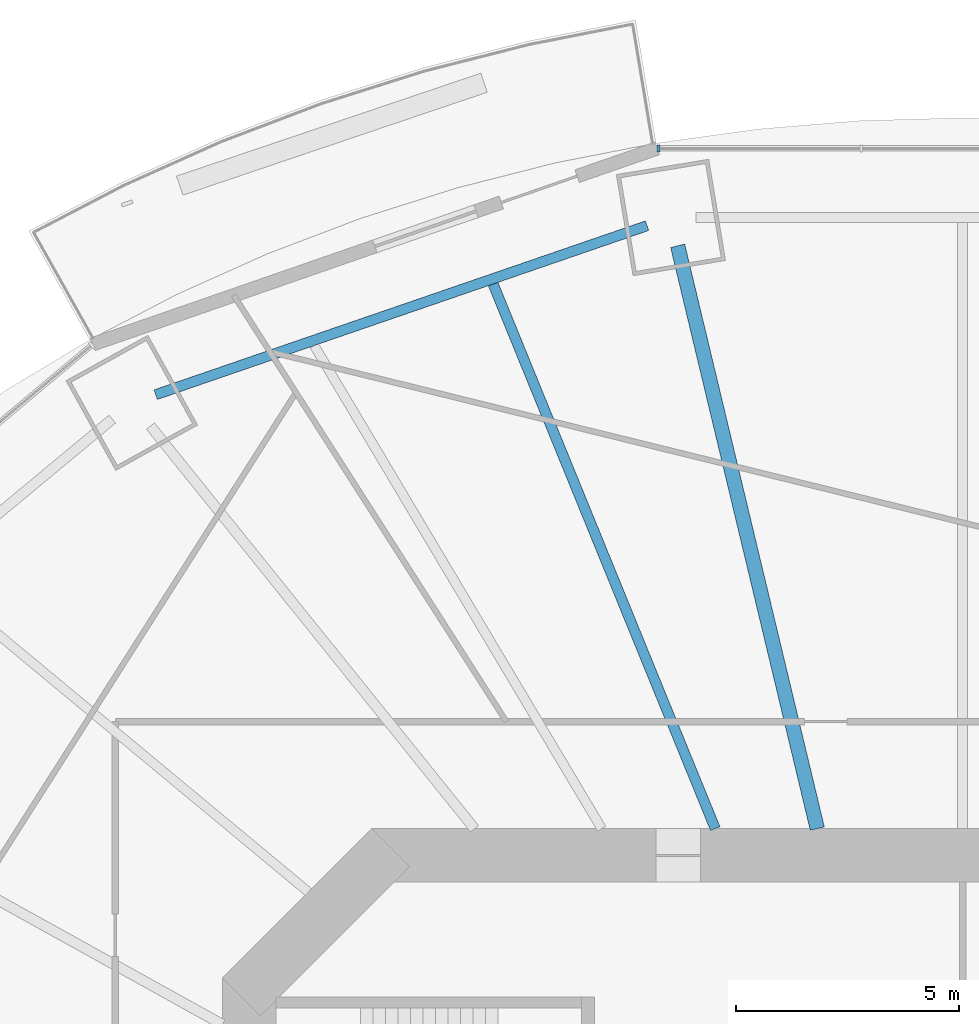
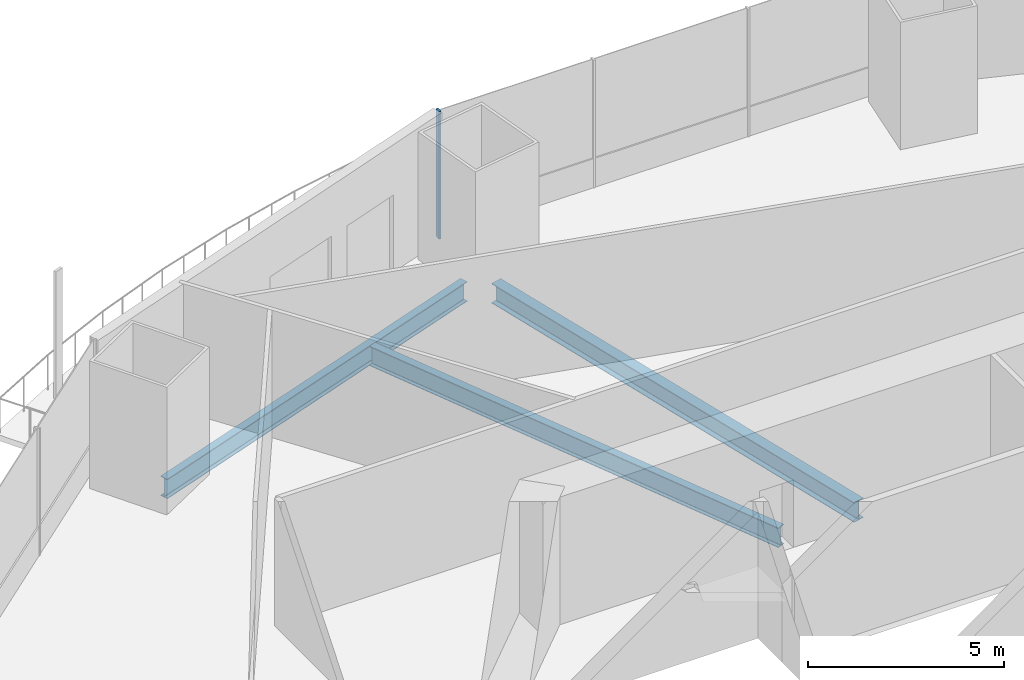
# One storey, part 7 of 22: 3 beams, 1 member, 1 element without a shape of its own.
"""IFC4 building model written with IfcOpenShell, lengths in metres."""

from ifc_helpers import new_model, si_unit, direction, frame, origin, origin_2d, place, context, subcontext, project, spatial, rectangle, i_section, extrude, material, material_profile, profile_set, type_object, element, aggregate, save


model = new_model("IFC4")

# Units and contexts
model_context = context("Model", 3, precision=1e-05, world=origin(), true_north=direction((0.0, 1.0)))
body_context = subcontext(model_context, "Body", "Model", "MODEL_VIEW")
ifc_project = project(units=[si_unit("LENGTHUNIT", "METRE"), si_unit("AREAUNIT", "SQUARE_METRE"), si_unit("VOLUMEUNIT", "CUBIC_METRE"), si_unit("PLANEANGLEUNIT", "RADIAN"), si_unit("MASSUNIT", "GRAM", prefix="KILO")], contexts=[model_context])

# Site, building, storey
site_placement = place(None, origin())
site = spatial("IfcSite", under=ifc_project, at=site_placement, CompositionType="ELEMENT")
building_placement = place(site_placement, origin())
building = spatial("IfcBuilding", under=site, at=building_placement, Name="Marenthal Gate Tower", CompositionType="ELEMENT")
storey_placement = place(building_placement, frame((0.0, 0.0, 86.949951171875)))
storey = spatial("IfcBuildingStorey", under=building, at=storey_placement, Name="L17", CompositionType="ELEMENT", Elevation=86.949951171875)

# Curtain wall, member
ifc_material_1 = material(Name="Aluminium and glass", Category="aluminium")
curtain_wall_type = type_object("IfcCurtainWallType", Name="Curtain wall typical low", PredefinedType="NOTDEFINED", material=ifc_material_1)
curtain_wall_placement = place(storey_placement, origin())
curtain_wall = element("IfcCurtainWall", 1, at=curtain_wall_placement, inside=storey, type_object=curtain_wall_type, Name="Curtain wall L17 bay 4", PredefinedType="NOTDEFINED")
ifc_material_2 = material(Name="Aluminium", Category="aluminium")
ifc_material_profile_1 = material_profile(ifc_material_2, rectangle(XDim=0.159912109375, YDim=0.06005859375, at=origin_2d()), Name="60x160 aluminium mullion")
ifc_profile_set_1 = profile_set([ifc_material_profile_1], Name="Aluminium")
member_type = type_object("IfcMemberType", Name="Mullion 60x160 typical low", PredefinedType="MULLION", material=ifc_profile_set_1)
member_placement = place(storey_placement, frame((-6.81982421875, 28.852783203125, 0.0), z_axis=(0.0, 0.0, 1.0), x_axis=(0.0, -1.0, 0.0)))
member = element("IfcMember", 2, at=member_placement, type_object=member_type, Name="Mullion L17 bay 4.4", PredefinedType="MULLION", context=body_context, shape_type="SweptSolid", body=[
    extrude(rectangle(XDim=0.159912109375, YDim=0.06005859375, at=origin_2d()), origin(), (0.0, 0.0, 1.0), 3.969970703125),
])
aggregate(curtain_wall, [member])

# Beams
ifc_material_3 = material(Name="Steel S355", Category="steel")
ifc_material_profile_2 = material_profile(ifc_material_3, i_section(OverallWidth=0.22900390625, OverallDepth=0.612060546875, WebThickness=0.011962890625, FlangeThickness=0.01953125, FilletRadius=0.0126953125, at=origin_2d()), Name="W610X125")
ifc_profile_set_2 = profile_set([ifc_material_profile_2], Name="Steel S355")
beam_type_1 = type_object("IfcBeamType", Name="W610X125 beam", PredefinedType="BEAM", material=ifc_profile_set_2)
beam_1_placement = place(storey_placement, frame((-10.52734375, 25.811279296875, -0.48583984375), z_axis=(0.377657332002, -0.925945430134, 0.0), x_axis=(0.925945430134, 0.377657332002, 0.0)))
element("IfcBeam", 3, at=beam_1_placement, inside=storey, type_object=beam_type_1, Name="BM-L17-23", PredefinedType="BEAM", context=body_context, shape_type="SweptSolid", body=[
    extrude(i_section(OverallWidth=0.22900390625, OverallDepth=0.612060546875, WebThickness=0.011962890625, FlangeThickness=0.01953125, FilletRadius=0.0126953125, at=origin_2d()), origin(), (0.0, 0.0, 1.0), 13.187744140625),
])
beam_2_placement = place(storey_placement, frame((-7.07568359375, 27.119384765625, -0.48583984375), z_axis=(-0.945652773526, -0.32517815413, 0.0), x_axis=(0.32517815413, -0.945652773526, 0.0)))
element("IfcBeam", 4, at=beam_2_placement, inside=storey, type_object=beam_type_1, Name="BM-L17-45", PredefinedType="BEAM", context=body_context, shape_type="SweptSolid", body=[
    extrude(i_section(OverallWidth=0.22900390625, OverallDepth=0.612060546875, WebThickness=0.011962890625, FlangeThickness=0.01953125, FilletRadius=0.0126953125, at=origin_2d()), origin(), (0.0, 0.0, 1.0), 11.65087890625),
])
ifc_material_4 = material(Name="Steel S355", Category="steel")
ifc_material_profile_3 = material_profile(ifc_material_4, i_section(OverallWidth=0.324951171875, OverallDepth=0.612060546875, WebThickness=0.0126953125, FlangeThickness=0.01904296875, FilletRadius=0.0126953125, at=origin_2d()), Name="W610X155")
ifc_profile_set_3 = profile_set([ifc_material_profile_3], Name="Steel S355")
beam_type_2 = type_object("IfcBeamType", Name="W610X155 beam", PredefinedType="BEAM", material=ifc_profile_set_3)
beam_3_placement = place(storey_placement, frame((-6.389404296875, 26.668212890625, -0.48583984375), z_axis=(0.233003942161, -0.972475790412, 0.0), x_axis=(0.972475790412, 0.233003942161, 0.0)))
element("IfcBeam", 5, at=beam_3_placement, inside=storey, type_object=beam_type_2, Name="BM-L17-05", PredefinedType="BEAM", context=body_context, shape_type="SweptSolid", body=[
    extrude(i_section(OverallWidth=0.324951171875, OverallDepth=0.612060546875, WebThickness=0.0126953125, FlangeThickness=0.01904296875, FilletRadius=0.0126953125, at=origin_2d()), origin(), (0.0, 0.0, 1.0), 13.43798828125),
])

save(model, "model.ifc")
